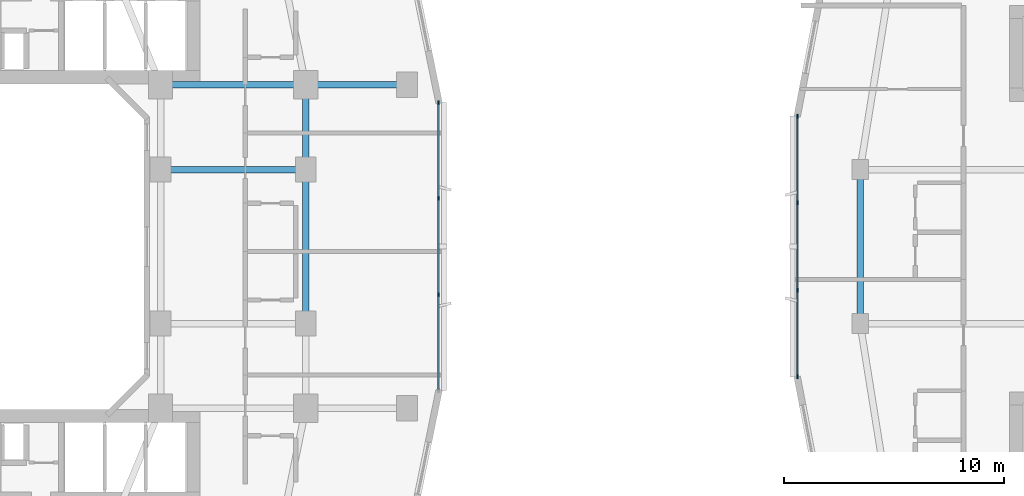
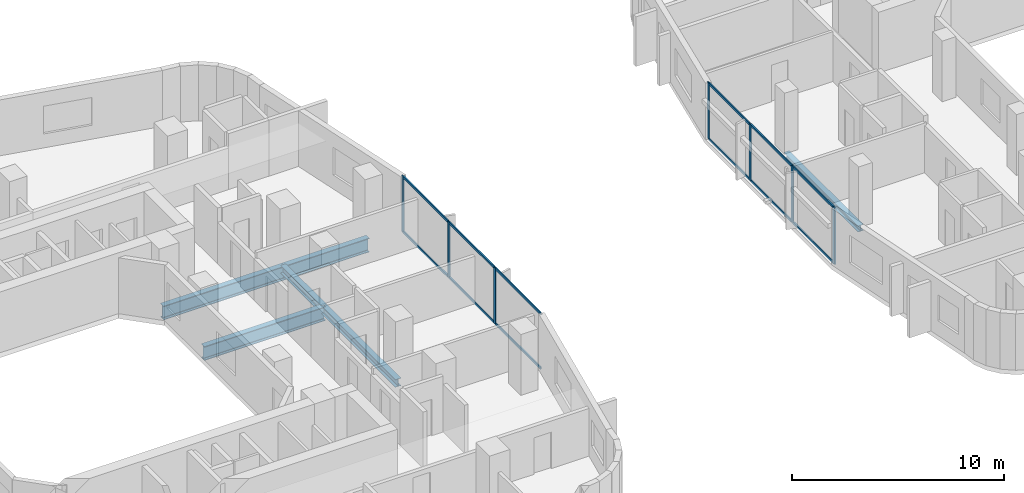
# One storey, part 5 of 27: 19 members, 6 beams, 2 elements without a shape of their own.
"""IFC4 building model written with IfcOpenShell, lengths in metres."""

from ifc_helpers import new_model, si_unit, derived_unit, direction, frame, origin, origin_2d, place, context, subcontext, project, spatial, rectangle, i_section, extrude, material, layer, layer_set, material_profile, profile_set, type_object, element, aggregate, save


model = new_model("IFC4")

# Units and contexts
model_context = context("Model", 3, precision=1e-05, world=origin(), true_north=direction((0.0, 1.0)))
body_context = subcontext(model_context, "Body", "Model", "MODEL_VIEW")
ifc_project = project(units=[si_unit("LENGTHUNIT", "METRE"), si_unit("AREAUNIT", "SQUARE_METRE"), si_unit("VOLUMEUNIT", "CUBIC_METRE"), si_unit("PLANEANGLEUNIT", "RADIAN"), si_unit("MASSUNIT", "GRAM", prefix="KILO"), derived_unit("THERMALTRANSMITTANCEUNIT", [(si_unit("POWERUNIT", "WATT"), 1), (si_unit("LENGTHUNIT", "METRE"), -2), (si_unit("THERMODYNAMICTEMPERATUREUNIT", "KELVIN"), -1)])], contexts=[model_context])

# Site, building, storey
site_placement = place(None, origin())
site = spatial("IfcSite", under=ifc_project, at=site_placement, CompositionType="ELEMENT")
building_placement = place(site_placement, origin())
building = spatial("IfcBuilding", under=site, at=building_placement, Name="Kivonza Crest Hotel", CompositionType="ELEMENT")
storey_placement = place(building_placement, frame((0.0, 0.0, 38.0)))
storey = spatial("IfcBuildingStorey", under=building, at=storey_placement, Name="L09", CompositionType="ELEMENT", Elevation=38.0)

# Beams
ifc_material_1 = material(Name="Steel S355", Category="steel")
ifc_material_profile_1 = material_profile(ifc_material_1, i_section(OverallWidth=0.300048828125, OverallDepth=0.360107421875, WebThickness=0.012451171875, FlangeThickness=0.0224609375, FilletRadius=0.027099609375, at=origin_2d()), Name="HEB 360")
ifc_profile_set_1 = profile_set([ifc_material_profile_1], Name="Steel S355")
beam_type_1 = type_object("IfcBeamType", Name="BM-HEB360", PredefinedType="SPANDREL", material=ifc_profile_set_1)
beam_1_placement = place(storey_placement, frame((61.0, 28.5, -0.429931640625), z_axis=(0.0, -1.0, 0.0), x_axis=(1.0, 0.0, 0.0)))
element("IfcBeam", 1, at=beam_1_placement, inside=storey, type_object=beam_type_1, Name="Companion Tower T2 L09 perimeter spandrel W2-W1", PredefinedType="SPANDREL", context=body_context, shape_type="SweptSolid", body=[
    extrude(i_section(OverallWidth=0.300048828125, OverallDepth=0.360107421875, WebThickness=0.012451171875, FlangeThickness=0.0224609375, FilletRadius=0.027099609375, at=origin_2d()), origin(), (0.0, 0.0, 1.0), 7.0),
])
ifc_material_profile_2 = material_profile(ifc_material_1, i_section(OverallWidth=0.300048828125, OverallDepth=0.449951171875, WebThickness=0.013916015625, FlangeThickness=0.02587890625, FilletRadius=0.027099609375, at=origin_2d()), Name="HEB 450")
ifc_profile_set_2 = profile_set([ifc_material_profile_2], Name="Steel S355")
beam_type_2 = type_object("IfcBeamType", Name="BM-HEB450", PredefinedType="SPANDREL", material=ifc_profile_set_2)
beam_2_placement = place(storey_placement, frame((35.800048828125, 21.5, -0.5048828125), z_axis=(0.0, 1.0, 0.0), x_axis=(-1.0, 0.0, 0.0)))
element("IfcBeam", 2, at=beam_2_placement, inside=storey, type_object=beam_type_2, Name="Tower T1 L09 perimeter spandrel E1-E2", PredefinedType="SPANDREL", context=body_context, shape_type="SweptSolid", body=[
    extrude(i_section(OverallWidth=0.300048828125, OverallDepth=0.449951171875, WebThickness=0.013916015625, FlangeThickness=0.02587890625, FilletRadius=0.027099609375, at=origin_2d()), origin(), (0.0, 0.0, 1.0), 7.0),
])
beam_3_placement = place(storey_placement, frame((35.800048828125, 28.5, -0.5048828125), z_axis=(0.0, 1.0, 0.0), x_axis=(-1.0, 0.0, 0.0)))
element("IfcBeam", 3, at=beam_3_placement, inside=storey, type_object=beam_type_2, Name="Tower T1 L09 perimeter spandrel E2-PNE", PredefinedType="SPANDREL", context=body_context, shape_type="SweptSolid", body=[
    extrude(i_section(OverallWidth=0.300048828125, OverallDepth=0.449951171875, WebThickness=0.013916015625, FlangeThickness=0.02587890625, FilletRadius=0.027099609375, at=origin_2d()), origin(), (0.0, 0.0, 1.0), 3.85009765625),
])
ifc_material_profile_3 = material_profile(ifc_material_1, i_section(OverallWidth=0.300048828125, OverallDepth=0.800048828125, WebThickness=0.017578125, FlangeThickness=0.032958984375, FilletRadius=0.030029296875, at=origin_2d()), Name="HEB 800")
ifc_profile_set_3 = profile_set([ifc_material_profile_3], Name="Steel S355")
beam_type_3 = type_object("IfcBeamType", Name="BM-HEB800", PredefinedType="BEAM", material=ifc_profile_set_3)
for number, where, z_axis, x_axis, name in (
    (4, (29.199951171875, 32.35009765625, -0.679931640625), (1.0, 0.0, 0.0), (0.0, 1.0, 0.0), "Tower T1 L09 primary girder TNE-PNE"),
    (5, (29.199951171875, 28.5, -0.679931640625), (1.0, 0.0, 0.0), (0.0, 1.0, 0.0), "Tower T1 L09 primary girder WR2-E2"),
):
    element("IfcBeam", number, at=place(storey_placement, frame(where, z_axis=z_axis, x_axis=x_axis)), inside=storey, type_object=beam_type_3, Name=name, PredefinedType="BEAM", context=body_context, shape_type="SweptSolid", body=[
        extrude(i_section(OverallWidth=0.300048828125, OverallDepth=0.800048828125, WebThickness=0.017578125, FlangeThickness=0.032958984375, FilletRadius=0.030029296875, at=origin_2d()), origin(), (0.0, 0.0, 1.0), 6.60009765625),
    ])
beam_4_placement = place(storey_placement, frame((40.39990234375, 32.35009765625, -0.679931640625), z_axis=(-1.0, 0.0, 0.0), x_axis=(0.0, -1.0, 0.0)))
element("IfcBeam", 6, at=beam_4_placement, inside=storey, type_object=beam_type_3, Name="Tower T1 L09 outer bay girder ZE2", PredefinedType="BEAM", context=body_context, shape_type="SweptSolid", body=[
    extrude(i_section(OverallWidth=0.300048828125, OverallDepth=0.800048828125, WebThickness=0.017578125, FlangeThickness=0.032958984375, FilletRadius=0.030029296875, at=origin_2d()), origin(), (0.0, 0.0, 1.0), 4.599853515625),
])

# Curtain wall, members
ifc_material_2 = material(Name="Anodised bronze aluminium and low-E double glazing", Category="aluminium")
ifc_layer_1 = layer(ifc_material_2, 0.179931640625)
ifc_layer_set_1 = layer_set([ifc_layer_1], Name="Anodised bronze aluminium and low-E double glazing")
curtain_wall_type_1 = type_object("IfcCurtainWallType", Name="CW-SYS-2", PredefinedType="NOTDEFINED", material=ifc_layer_set_1)
curtain_wall_1_placement = place(storey_placement, origin())
curtain_wall_1 = element("IfcCurtainWall", 7, at=curtain_wall_1_placement, inside=storey, type_object=curtain_wall_type_1, Name="L09 unitised curtain wall CW-T1-L09-17", PredefinedType="NOTDEFINED")
ifc_material_3 = material(Name="Anodised bronze aluminium", Category="aluminium")
ifc_material_profile_4 = material_profile(ifc_material_3, rectangle(XDim=0.06494140625, YDim=0.179931640625, at=origin_2d()), Name="CW-M 65x180")
ifc_profile_set_4 = profile_set([ifc_material_profile_4], Name="Anodised bronze aluminium")
member_type_1 = type_object("IfcMemberType", Name="CW-MUL-65x180", PredefinedType="MULLION", material=ifc_profile_set_4)
member_1_placement = place(storey_placement, frame((41.840087890625, 22.813232421875, 0.0), z_axis=(0.0, 0.0, 1.0), x_axis=(-1.0, 0.0, 0.0)))
member_1 = element("IfcMember", 8, at=member_1_placement, type_object=member_type_1, Name="CW-2 mullion 2", PredefinedType="MULLION", context=body_context, shape_type="SweptSolid", body=[
    extrude(rectangle(XDim=0.06494140625, YDim=0.179931640625, at=origin_2d()), origin(), (0.0, 0.0, 1.0), 3.219970703125),
])
member_2_placement = place(storey_placement, frame((41.840087890625, 27.186767578125, 0.0), z_axis=(0.0, 0.0, 1.0), x_axis=(-1.0, 0.0, 0.0)))
member_2 = element("IfcMember", 9, at=member_2_placement, type_object=member_type_1, Name="CW-2 mullion 3", PredefinedType="MULLION", context=body_context, shape_type="SweptSolid", body=[
    extrude(rectangle(XDim=0.06494140625, YDim=0.179931640625, at=origin_2d()), origin(), (0.0, 0.0, 1.0), 3.219970703125),
])
member_3_placement = place(storey_placement, frame((41.840087890625, 31.527587890625, 0.0), z_axis=(0.0, 0.0, 1.0), x_axis=(-1.0, 0.0, 0.0)))
member_3 = element("IfcMember", 10, at=member_3_placement, type_object=member_type_1, Name="CW-2 mullion 4", PredefinedType="MULLION", context=body_context, shape_type="SweptSolid", body=[
    extrude(rectangle(XDim=0.06494140625, YDim=0.179931640625, at=origin_2d()), origin(), (0.0, 0.0, 1.0), 3.219970703125),
])

ifc_layer_2 = layer(ifc_material_2, 0.179931640625)
ifc_layer_set_2 = layer_set([ifc_layer_2], Name="Anodised bronze aluminium and low-E double glazing")
curtain_wall_type_2 = type_object("IfcCurtainWallType", Name="CW-SYS-4", PredefinedType="NOTDEFINED", material=ifc_layer_set_2)
curtain_wall_2_placement = place(storey_placement, origin())
curtain_wall_2 = element("IfcCurtainWall", 11, at=curtain_wall_2_placement, inside=storey, type_object=curtain_wall_type_2, Name="L09 unitised curtain wall CW-T2-L09-35", PredefinedType="NOTDEFINED")
member_4_placement = place(storey_placement, frame((58.159912109375, 30.927490234375, 0.0), z_axis=(0.0, 0.0, 1.0), x_axis=(1.0, 0.0, 0.0)))
member_4 = element("IfcMember", 12, at=member_4_placement, type_object=member_type_1, Name="CW-4 mullion 1", PredefinedType="MULLION", context=body_context, shape_type="SweptSolid", body=[
    extrude(rectangle(XDim=0.06494140625, YDim=0.179931640625, at=origin_2d()), origin(), (0.0, 0.0, 1.0), 3.25),
])
member_5_placement = place(storey_placement, frame((58.159912109375, 26.986572265625, 0.0), z_axis=(0.0, 0.0, 1.0), x_axis=(1.0, 0.0, 0.0)))
member_5 = element("IfcMember", 13, at=member_5_placement, type_object=member_type_1, Name="CW-4 mullion 2", PredefinedType="MULLION", context=body_context, shape_type="SweptSolid", body=[
    extrude(rectangle(XDim=0.06494140625, YDim=0.179931640625, at=origin_2d()), origin(), (0.0, 0.0, 1.0), 3.25),
])
member_6_placement = place(storey_placement, frame((58.159912109375, 23.013427734375, 0.0), z_axis=(0.0, 0.0, 1.0), x_axis=(1.0, 0.0, 0.0)))
member_6 = element("IfcMember", 14, at=member_6_placement, type_object=member_type_1, Name="CW-4 mullion 3", PredefinedType="MULLION", context=body_context, shape_type="SweptSolid", body=[
    extrude(rectangle(XDim=0.06494140625, YDim=0.179931640625, at=origin_2d()), origin(), (0.0, 0.0, 1.0), 3.25),
])
member_7_placement = place(storey_placement, frame((58.159912109375, 19.072509765625, 0.0), z_axis=(0.0, 0.0, 1.0), x_axis=(1.0, 0.0, 0.0)))
member_7 = element("IfcMember", 15, at=member_7_placement, type_object=member_type_1, Name="CW-4 mullion 4", PredefinedType="MULLION", context=body_context, shape_type="SweptSolid", body=[
    extrude(rectangle(XDim=0.06494140625, YDim=0.179931640625, at=origin_2d()), origin(), (0.0, 0.0, 1.0), 3.25),
])

# Member
ifc_material_profile_5 = material_profile(ifc_material_3, rectangle(XDim=0.06494140625, YDim=0.139892578125, at=origin_2d()), Name="CW-T 65x140")
ifc_profile_set_5 = profile_set([ifc_material_profile_5], Name="Anodised bronze aluminium")
member_type_2 = type_object("IfcMemberType", Name="CW-TRN-65x140", PredefinedType="USERDEFINED", material=ifc_profile_set_5)
member_8_placement = place(storey_placement, frame((41.840087890625, 18.5048828125, 0.032470703125), z_axis=(0.0, 1.0, 0.0), x_axis=(-1.0, 0.0, 0.0)))
member_8 = element("IfcMember", 16, at=member_8_placement, type_object=member_type_2, Name="CW-2 transom 1.1", ObjectType="TRANSOM", PredefinedType="USERDEFINED", context=body_context, shape_type="SweptSolid", body=[
    extrude(rectangle(XDim=0.06494140625, YDim=0.139892578125, at=origin_2d()), origin(), (0.0, 0.0, 1.0), 4.27587890625),
])

member_9_placement = place(storey_placement, frame((41.840087890625, 18.5048828125, 3.1875), z_axis=(0.0, 1.0, 0.0), x_axis=(-1.0, 0.0, 0.0)))
member_9 = element("IfcMember", 17, at=member_9_placement, type_object=member_type_2, Name="CW-2 transom 1.2", ObjectType="TRANSOM", PredefinedType="USERDEFINED", context=body_context, shape_type="SweptSolid", body=[
    extrude(rectangle(XDim=0.06494140625, YDim=0.139892578125, at=origin_2d()), origin(), (0.0, 0.0, 1.0), 4.27587890625),
])

member_10_placement = place(storey_placement, frame((41.840087890625, 22.845947265625, 0.032470703125), z_axis=(0.0, 1.0, 0.0), x_axis=(-1.0, 0.0, 0.0)))
member_10 = element("IfcMember", 18, at=member_10_placement, type_object=member_type_2, Name="CW-2 transom 2.1", ObjectType="TRANSOM", PredefinedType="USERDEFINED", context=body_context, shape_type="SweptSolid", body=[
    extrude(rectangle(XDim=0.06494140625, YDim=0.139892578125, at=origin_2d()), origin(), (0.0, 0.0, 1.0), 4.30810546875),
])

member_11_placement = place(storey_placement, frame((41.840087890625, 22.845947265625, 3.1875), z_axis=(0.0, 1.0, 0.0), x_axis=(-1.0, 0.0, 0.0)))
member_11 = element("IfcMember", 19, at=member_11_placement, type_object=member_type_2, Name="CW-2 transom 2.2", ObjectType="TRANSOM", PredefinedType="USERDEFINED", context=body_context, shape_type="SweptSolid", body=[
    extrude(rectangle(XDim=0.06494140625, YDim=0.139892578125, at=origin_2d()), origin(), (0.0, 0.0, 1.0), 4.30810546875),
])

member_12_placement = place(storey_placement, frame((41.840087890625, 27.21923828125, 0.032470703125), z_axis=(0.0, 1.0, 0.0), x_axis=(-1.0, 0.0, 0.0)))
member_12 = element("IfcMember", 20, at=member_12_placement, type_object=member_type_2, Name="CW-2 transom 3.1", ObjectType="TRANSOM", PredefinedType="USERDEFINED", context=body_context, shape_type="SweptSolid", body=[
    extrude(rectangle(XDim=0.06494140625, YDim=0.139892578125, at=origin_2d()), origin(), (0.0, 0.0, 1.0), 4.27587890625),
])

member_13_placement = place(storey_placement, frame((41.840087890625, 27.21923828125, 3.1875), z_axis=(0.0, 1.0, 0.0), x_axis=(-1.0, 0.0, 0.0)))
member_13 = element("IfcMember", 21, at=member_13_placement, type_object=member_type_2, Name="CW-2 transom 3.2", ObjectType="TRANSOM", PredefinedType="USERDEFINED", context=body_context, shape_type="SweptSolid", body=[
    extrude(rectangle(XDim=0.06494140625, YDim=0.139892578125, at=origin_2d()), origin(), (0.0, 0.0, 1.0), 4.27587890625),
])

aggregate(curtain_wall_1, [member_1, member_2, member_3, member_8, member_9, member_10, member_11, member_12, member_13])

member_14_placement = place(storey_placement, frame((58.159912109375, 30.89501953125, 0.032470703125), z_axis=(0.0, -1.0, 0.0), x_axis=(1.0, 0.0, 0.0)))
member_14 = element("IfcMember", 22, at=member_14_placement, type_object=member_type_2, Name="CW-4 transom 1.1", ObjectType="TRANSOM", PredefinedType="USERDEFINED", context=body_context, shape_type="SweptSolid", body=[
    extrude(rectangle(XDim=0.06494140625, YDim=0.139892578125, at=origin_2d()), origin(), (0.0, 0.0, 1.0), 3.875732421875),
])

member_15_placement = place(storey_placement, frame((58.159912109375, 30.89501953125, 3.217529296875), z_axis=(0.0, -1.0, 0.0), x_axis=(1.0, 0.0, 0.0)))
member_15 = element("IfcMember", 23, at=member_15_placement, type_object=member_type_2, Name="CW-4 transom 1.2", ObjectType="TRANSOM", PredefinedType="USERDEFINED", context=body_context, shape_type="SweptSolid", body=[
    extrude(rectangle(XDim=0.06494140625, YDim=0.139892578125, at=origin_2d()), origin(), (0.0, 0.0, 1.0), 3.875732421875),
])

member_16_placement = place(storey_placement, frame((58.159912109375, 26.9541015625, 0.032470703125), z_axis=(0.0, -1.0, 0.0), x_axis=(1.0, 0.0, 0.0)))
member_16 = element("IfcMember", 24, at=member_16_placement, type_object=member_type_2, Name="CW-4 transom 2.1", ObjectType="TRANSOM", PredefinedType="USERDEFINED", context=body_context, shape_type="SweptSolid", body=[
    extrude(rectangle(XDim=0.06494140625, YDim=0.139892578125, at=origin_2d()), origin(), (0.0, 0.0, 1.0), 3.908203125),
])

member_17_placement = place(storey_placement, frame((58.159912109375, 26.9541015625, 3.217529296875), z_axis=(0.0, -1.0, 0.0), x_axis=(1.0, 0.0, 0.0)))
member_17 = element("IfcMember", 25, at=member_17_placement, type_object=member_type_2, Name="CW-4 transom 2.2", ObjectType="TRANSOM", PredefinedType="USERDEFINED", context=body_context, shape_type="SweptSolid", body=[
    extrude(rectangle(XDim=0.06494140625, YDim=0.139892578125, at=origin_2d()), origin(), (0.0, 0.0, 1.0), 3.908203125),
])

member_18_placement = place(storey_placement, frame((58.159912109375, 22.980712890625, 0.032470703125), z_axis=(0.0, -1.0, 0.0), x_axis=(1.0, 0.0, 0.0)))
member_18 = element("IfcMember", 26, at=member_18_placement, type_object=member_type_2, Name="CW-4 transom 3.1", ObjectType="TRANSOM", PredefinedType="USERDEFINED", context=body_context, shape_type="SweptSolid", body=[
    extrude(rectangle(XDim=0.06494140625, YDim=0.139892578125, at=origin_2d()), origin(), (0.0, 0.0, 1.0), 3.875732421875),
])

member_19_placement = place(storey_placement, frame((58.159912109375, 22.980712890625, 3.217529296875), z_axis=(0.0, -1.0, 0.0), x_axis=(1.0, 0.0, 0.0)))
member_19 = element("IfcMember", 27, at=member_19_placement, type_object=member_type_2, Name="CW-4 transom 3.2", ObjectType="TRANSOM", PredefinedType="USERDEFINED", context=body_context, shape_type="SweptSolid", body=[
    extrude(rectangle(XDim=0.06494140625, YDim=0.139892578125, at=origin_2d()), origin(), (0.0, 0.0, 1.0), 3.875732421875),
])

aggregate(curtain_wall_2, [member_4, member_5, member_6, member_7, member_14, member_15, member_16, member_17, member_18, member_19])

save(model, "model.ifc")
